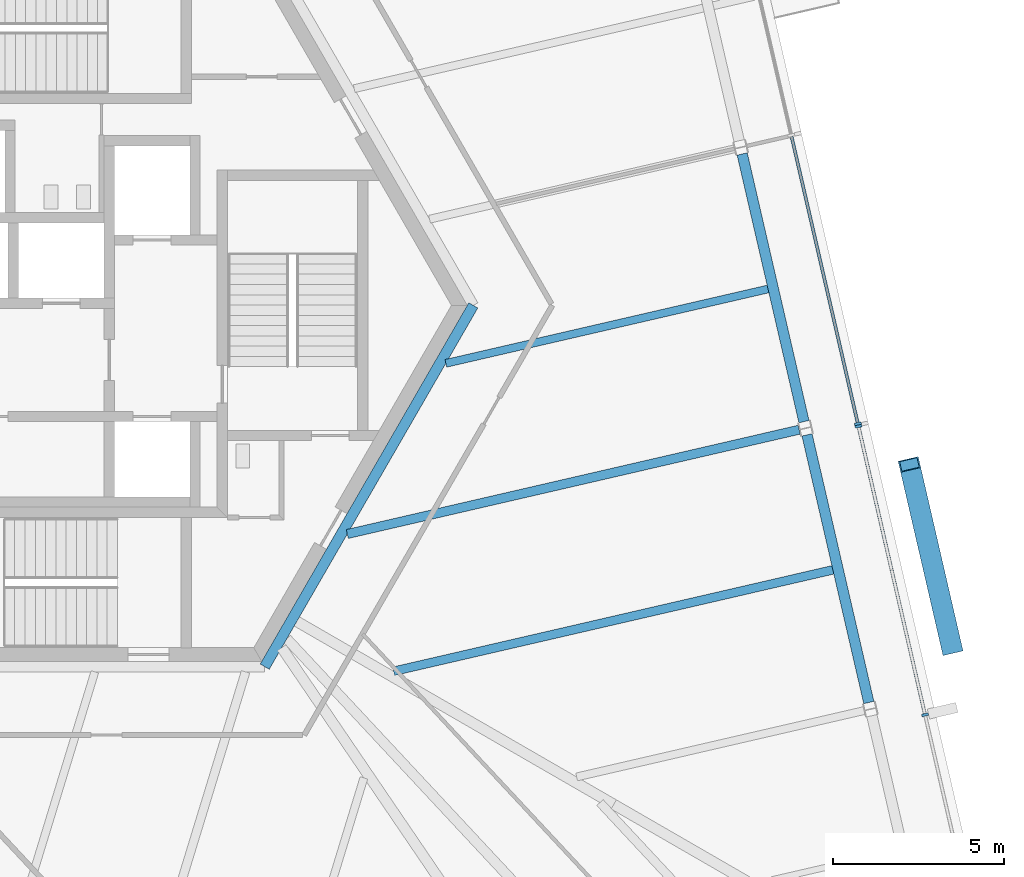
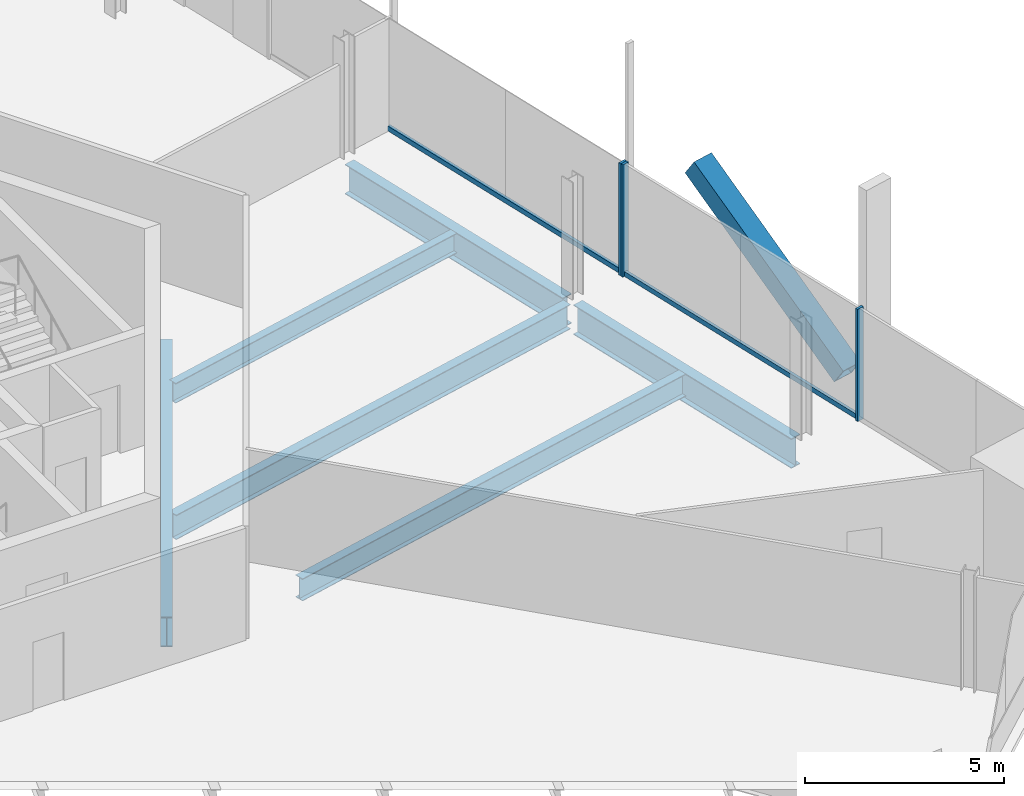
# One storey, part 7 of 23: 6 beams, 6 members, 2 elements without a shape of their own.
"""IFC4 building model written with IfcOpenShell, lengths in metres."""

from ifc_helpers import new_model, si_unit, direction, frame, origin, origin_2d, place, context, subcontext, project, spatial, rectangle, hollow_rectangle, i_section, extrude, source, transform, mapped, material, material_profile, profile_set, type_object, element, aggregate, save


model = new_model("IFC4")

# Units and contexts
model_context = context("Model", 3, precision=1e-05, world=origin(), true_north=direction((0.0, 1.0)))
body_context = subcontext(model_context, "Body", "Model", "MODEL_VIEW")
ifc_project = project(units=[si_unit("LENGTHUNIT", "METRE"), si_unit("AREAUNIT", "SQUARE_METRE"), si_unit("VOLUMEUNIT", "CUBIC_METRE"), si_unit("PLANEANGLEUNIT", "RADIAN"), si_unit("MASSUNIT", "GRAM", prefix="KILO")], contexts=[model_context])

# Site, building, storey
site_placement = place(None, origin())
site = spatial("IfcSite", under=ifc_project, at=site_placement, CompositionType="ELEMENT")
building_placement = place(site_placement, origin())
building = spatial("IfcBuilding", under=site, at=building_placement, Name="Triune Harvest Tower", CompositionType="ELEMENT")
storey_placement = place(building_placement, frame((0.0, 0.0, 105.5)))
storey = spatial("IfcBuildingStorey", under=building, at=storey_placement, Name="L26", CompositionType="ELEMENT", Elevation=105.5)

# Beams
ifc_material_1 = material(Name="Steel ASTM A992 Gr 50", Category="steel")
ifc_material_profile_1 = material_profile(ifc_material_1, i_section(OverallWidth=0.3046875, OverallDepth=0.914306640625, WebThickness=0.0166015625, FlangeThickness=0.02587890625, at=origin_2d()), Name="W36x160")
ifc_profile_set_1 = profile_set([ifc_material_profile_1], Name="Steel ASTM A992 Gr 50")
beam_type_1 = type_object("IfcBeamType", Name="CG-1 Core ring girder W36x160", PredefinedType="BEAM", material=ifc_profile_set_1)
shared_shape_1 = source(origin(), body_context, "Body", "SweptSolid", [
    extrude(i_section(OverallWidth=0.3046875, OverallDepth=0.914306640625, WebThickness=0.0166015625, FlangeThickness=0.02587890625, at=origin_2d()), origin(), (0.0, 0.0, 1.0), 12.176025390625),
])
beam_1_placement = place(storey_placement, frame((6.087890625, -10.544677734375, -0.6171875), z_axis=(0.5000099932, 0.866019634131, 0.0), x_axis=(-0.866019634131, 0.5000099932, 0.0)))
element("IfcBeam", 1, at=beam_1_placement, inside=storey, type_object=beam_type_1, Name="beam/L26/CG6", PredefinedType="BEAM", context=body_context, shape_type="MappedRepresentation", body=[
    mapped(shared_shape_1, transform((0.0, 0.0, 0.0), scale=1.0)),
])
ifc_material_2 = material(Name="Steel ASTM A992 Gr 50", Category="steel")
ifc_material_profile_2 = material_profile(ifc_material_2, i_section(OverallWidth=0.3046875, OverallDepth=0.914306640625, WebThickness=0.0166015625, FlangeThickness=0.02587890625, at=origin_2d()), Name="W36x160")
ifc_profile_set_2 = profile_set([ifc_material_profile_2], Name="Steel ASTM A992 Gr 50")
beam_type_2 = type_object("IfcBeamType", Name="SB-1 Spandrel beam W36x160", PredefinedType="SPANDREL", material=ifc_profile_set_2)
shared_shape_2 = source(origin(), body_context, "Body", "SweptSolid", [
    extrude(i_section(OverallWidth=0.3046875, OverallDepth=0.914306640625, WebThickness=0.0166015625, FlangeThickness=0.02587890625, at=origin_2d()), origin(), (0.0, 0.0, 1.0), 8.018310546875),
])
beam_2_placement = place(storey_placement, frame((23.72119140625, -11.591796875, -0.6171875), z_axis=(-0.224950679005, 0.974370151439, 0.0), x_axis=(-0.974370151439, -0.224950679005, 0.0)))
element("IfcBeam", 2, at=beam_2_placement, inside=storey, type_object=beam_type_2, Name="beam/L26/SB2", PredefinedType="SPANDREL", context=body_context, shape_type="MappedRepresentation", body=[
    mapped(shared_shape_2, transform((0.0, 0.0, 0.0), scale=1.0)),
])
shared_shape_3 = source(origin(), body_context, "Body", "SweptSolid", [
    extrude(i_section(OverallWidth=0.3046875, OverallDepth=0.914306640625, WebThickness=0.0166015625, FlangeThickness=0.02587890625, at=origin_2d()), origin(), (0.0, 0.0, 1.0), 8.0185546875),
])
beam_3_placement = place(storey_placement, frame((21.828369140625, -3.39306640625, -0.6171875), z_axis=(-0.22494400542, 0.974371692131, 0.0), x_axis=(-0.974371692131, -0.22494400542, 0.0)))
element("IfcBeam", 3, at=beam_3_placement, inside=storey, type_object=beam_type_2, Name="beam/L26/SB3", PredefinedType="SPANDREL", context=body_context, shape_type="MappedRepresentation", body=[
    mapped(shared_shape_3, transform((0.0, 0.0, 0.0), scale=1.0)),
])
ifc_material_3 = material(Name="Steel ASTM A992 Gr 50", Category="steel")
ifc_material_profile_3 = material_profile(ifc_material_3, i_section(OverallWidth=0.253662109375, OverallDepth=0.683349609375, WebThickness=0.012451171875, FlangeThickness=0.01904296875, at=origin_2d()), Name="W27x94")
ifc_profile_set_3 = profile_set([ifc_material_profile_3], Name="Steel ASTM A992 Gr 50")
beam_type_3 = type_object("IfcBeamType", Name="JT-4 Floor joist W27x94", PredefinedType="JOIST", material=ifc_profile_set_3)
shared_shape_4 = source(origin(), body_context, "Body", "SweptSolid", [
    extrude(i_section(OverallWidth=0.253662109375, OverallDepth=0.683349609375, WebThickness=0.012451171875, FlangeThickness=0.01904296875, at=origin_2d()), origin(), (0.0, 0.0, 1.0), 13.1572265625),
])
beam_4_placement = place(storey_placement, frame((22.6708984375, -7.7197265625, -0.501708984375), z_axis=(-0.974370551145, -0.224948947678, 0.0), x_axis=(0.224948947678, -0.974370551145, 0.0)))
element("IfcBeam", 4, at=beam_4_placement, inside=storey, type_object=beam_type_3, Name="beam/L26/JT3", PredefinedType="JOIST", context=body_context, shape_type="MappedRepresentation", body=[
    mapped(shared_shape_4, transform((0.0, 0.0, 0.0), scale=1.0)),
])
ifc_material_4 = material(Name="Steel ASTM A992 Gr 50", Category="steel")
ifc_material_profile_4 = material_profile(ifc_material_4, i_section(OverallWidth=0.2666015625, OverallDepth=0.7568359375, WebThickness=0.013916015625, FlangeThickness=0.019287109375, at=origin_2d()), Name="W30x108")
ifc_profile_set_4 = profile_set([ifc_material_profile_4], Name="Steel ASTM A992 Gr 50")
beam_type_4 = type_object("IfcBeamType", Name="JT-5 Floor joist W30x108", PredefinedType="JOIST", material=ifc_profile_set_4)
shared_shape_5 = source(origin(), body_context, "Body", "SweptSolid", [
    extrude(i_section(OverallWidth=0.2666015625, OverallDepth=0.7568359375, WebThickness=0.013916015625, FlangeThickness=0.019287109375, at=origin_2d()), origin(), (0.0, 0.0, 1.0), 13.535400390625),
])
beam_5_placement = place(storey_placement, frame((21.687255859375, -3.62890625, -0.53857421875), z_axis=(-0.974372040253, -0.224942497482, 0.0), x_axis=(0.224942497482, -0.974372040253, 0.0)))
element("IfcBeam", 5, at=beam_5_placement, inside=storey, type_object=beam_type_4, Name="beam/L26/JT4", PredefinedType="JOIST", context=body_context, shape_type="MappedRepresentation", body=[
    mapped(shared_shape_5, transform((0.0, 0.0, 0.0), scale=1.0)),
])
ifc_material_5 = material(Name="Steel ASTM A992 Gr 50", Category="steel")
ifc_material_profile_5 = material_profile(ifc_material_5, i_section(OverallWidth=0.22900390625, OverallDepth=0.612060546875, WebThickness=0.011962890625, FlangeThickness=0.01953125, at=origin_2d()), Name="W24x84")
ifc_profile_set_5 = profile_set([ifc_material_profile_5], Name="Steel ASTM A992 Gr 50")
beam_type_5 = type_object("IfcBeamType", Name="JT-3 Floor joist W24x84", PredefinedType="JOIST", material=ifc_profile_set_5)
shared_shape_6 = source(origin(), body_context, "Body", "SweptSolid", [
    extrude(i_section(OverallWidth=0.22900390625, OverallDepth=0.612060546875, WebThickness=0.011962890625, FlangeThickness=0.01953125, at=origin_2d()), origin(), (0.0, 0.0, 1.0), 9.650146484375),
])
beam_6_placement = place(storey_placement, frame((20.778076171875, 0.47900390625, -0.466064453125), z_axis=(-0.974373710713, -0.224935261514, 0.0), x_axis=(0.224935261514, -0.974373710713, 0.0)))
element("IfcBeam", 6, at=beam_6_placement, inside=storey, type_object=beam_type_5, Name="beam/L26/JT5", PredefinedType="JOIST", context=body_context, shape_type="MappedRepresentation", body=[
    mapped(shared_shape_6, transform((0.0, 0.0, 0.0), scale=1.0)),
])

# Member
ifc_material_6 = material(Name="Steel ASTM A572 Gr 50", Category="steel")
ifc_material_profile_6 = material_profile(ifc_material_6, hollow_rectangle(XDim=0.60009765625, YDim=0.60009765625, WallThickness=0.0400390625, at=origin_2d()), Name="Box 600x600x40")
ifc_profile_set_6 = profile_set([ifc_material_profile_6], Name="Steel ASTM A572 Gr 50")
member_type_1 = type_object("IfcMemberType", Name="BR-2 Brace Box 600x600x40", PredefinedType="BRACE", material=ifc_profile_set_6)
shared_shape_7 = source(origin(), body_context, "Body", "SweptSolid", [
    extrude(hollow_rectangle(XDim=0.60009765625, YDim=0.60009765625, WallThickness=0.0400390625, at=origin_2d()), origin(), (0.0, 0.0, 1.0), 6.56640625),
])
member_1_placement = place(storey_placement, frame((26.142333984375, -9.9931640625, 0.0), z_axis=(-0.188130999407, 0.814874923715, 0.548256861117), x_axis=(-0.974369462042, -0.224953665097, 0.0)))
element("IfcMember", 7, at=member_1_placement, inside=storey, type_object=member_type_1, Name="brace/B3-F1/d1/3", PredefinedType="BRACE", context=body_context, shape_type="MappedRepresentation", body=[
    mapped(shared_shape_7, transform((0.0, 0.0, 0.0), scale=1.0)),
])

# Curtain wall, members
ifc_material_7 = material(Name="Aluminium bronze anodised", Category="aluminium")
curtain_wall_type_1 = type_object("IfcCurtainWallType", Name="CW-10 Balcony window wall with insulated spandrel infill", PredefinedType="NOTDEFINED", material=ifc_material_7)
curtain_wall_1_placement = place(storey_placement, origin())
curtain_wall_1 = element("IfcCurtainWall", 8, at=curtain_wall_1_placement, inside=storey, type_object=curtain_wall_type_1, Name="CW-10 B3-F1 L26 run 1")
ifc_material_8 = material(Name="Aluminium bronze anodised", Category="aluminium")
ifc_material_profile_7 = material_profile(ifc_material_8, rectangle(XDim=0.199951171875, YDim=0.074951171875, at=origin_2d()), Name="MU-6 mullion 75 x 200")
ifc_profile_set_7 = profile_set([ifc_material_profile_7], Name="Aluminium bronze anodised")
member_type_2 = type_object("IfcMemberType", Name="MU-6 mullion 75 x 200", PredefinedType="MULLION", material=ifc_profile_set_7)
shared_shape_8 = source(origin(), body_context, "Body", "SweptSolid", [
    extrude(rectangle(XDim=0.199951171875, YDim=0.074951171875, at=origin_2d()), origin(), (0.0, 0.0, 1.0), 3.43994140625),
])
member_2_placement = place(storey_placement, frame((25.362548828125, -11.9501953125, 0.0), z_axis=(0.0, 0.0, 1.0), x_axis=(-0.974370624614, -0.224948629446, 0.0)))
member_2 = element("IfcMember", 9, at=member_2_placement, type_object=member_type_2, Name="CW-10 mullion B3-F1 1.3", PredefinedType="MULLION", context=body_context, shape_type="MappedRepresentation", body=[
    mapped(shared_shape_8, transform((0.0, 0.0, 0.0), scale=1.0)),
])
member_3_placement = place(storey_placement, frame((23.418212890625, -3.528076171875, 0.0), z_axis=(0.0, 0.0, 1.0), x_axis=(-0.974370624614, -0.224948629446, 0.0)))
member_3 = element("IfcMember", 10, at=member_3_placement, type_object=member_type_2, Name="CW-10 mullion B3-F1 1.5", PredefinedType="MULLION", context=body_context, shape_type="MappedRepresentation", body=[
    mapped(shared_shape_8, transform((0.0, 0.0, 0.0), scale=1.0)),
])

# Curtain wall, member
ifc_material_9 = material(Name="Aluminium bronze anodised", Category="aluminium")
curtain_wall_type_2 = type_object("IfcCurtainWallType", Name="CW-6 Balcony window wall", PredefinedType="NOTDEFINED", material=ifc_material_9)
curtain_wall_2_placement = place(storey_placement, origin())
curtain_wall_2 = element("IfcCurtainWall", 11, at=curtain_wall_2_placement, inside=storey, type_object=curtain_wall_type_2, Name="CW-6 B3-F1 L26 run 1001")
member_4_placement = place(storey_placement, frame((23.4013671875, -3.455078125, 0.0), z_axis=(0.0, 0.0, 1.0), x_axis=(-0.974369230781, -0.224954666784, 0.0)))
member_4 = element("IfcMember", 12, at=member_4_placement, type_object=member_type_2, Name="CW-6 mullion B3-F1 1001.1", PredefinedType="MULLION", context=body_context, shape_type="MappedRepresentation", body=[
    mapped(shared_shape_8, transform((0.0, 0.0, 0.0), scale=1.0)),
])

# Member
ifc_material_10 = material(Name="Aluminium bronze anodised", Category="aluminium")
ifc_material_profile_8 = material_profile(ifc_material_10, rectangle(XDim=0.090087890625, YDim=0.14990234375, at=origin_2d()), Name="TR-6 transom 90 x 150")
ifc_profile_set_8 = profile_set([ifc_material_profile_8], Name="Aluminium bronze anodised")
member_type_3 = type_object("IfcMemberType", Name="TR-6 transom 90 x 150", PredefinedType="USERDEFINED", material=ifc_profile_set_8)
shared_shape_9 = source(origin(), body_context, "Body", "SweptSolid", [
    extrude(rectangle(XDim=0.090087890625, YDim=0.14990234375, at=origin_2d()), origin(), (0.0, 0.0, 1.0), 8.568603515625),
])
member_5_placement = place(storey_placement, frame((25.35400390625, -11.91357421875, 0.074951171875), z_axis=(-0.224951067006, 0.974370061862, 0.0), x_axis=(-0.974370061862, -0.224951067006, 0.0)))
member_5 = element("IfcMember", 13, at=member_5_placement, type_object=member_type_3, Name="CW-10 transom B3-F1 1.2", ObjectType="TRANSOM", PredefinedType="USERDEFINED", context=body_context, shape_type="MappedRepresentation", body=[
    mapped(shared_shape_9, transform((0.0, 0.0, 0.0), scale=1.0)),
])

aggregate(curtain_wall_1, [member_2, member_3, member_5])

member_6_placement = place(storey_placement, frame((23.392822265625, -3.41845703125, 0.074951171875), z_axis=(-0.224951067006, 0.974370061862, 0.0), x_axis=(-0.974370061862, -0.224951067006, 0.0)))
member_6 = element("IfcMember", 14, at=member_6_placement, type_object=member_type_3, Name="CW-6 transom B3-F1 1001.1", ObjectType="TRANSOM", PredefinedType="USERDEFINED", context=body_context, shape_type="MappedRepresentation", body=[
    mapped(shared_shape_9, transform((0.0, 0.0, 0.0), scale=1.0)),
])

aggregate(curtain_wall_2, [member_4, member_6])

save(model, "model.ifc")
